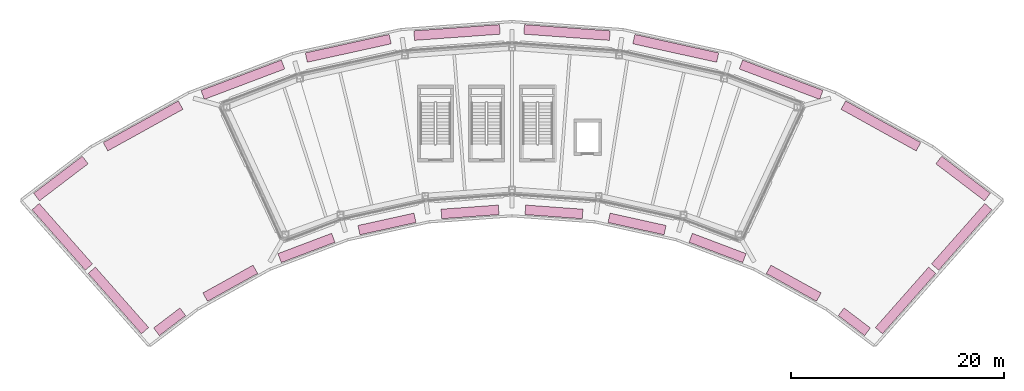
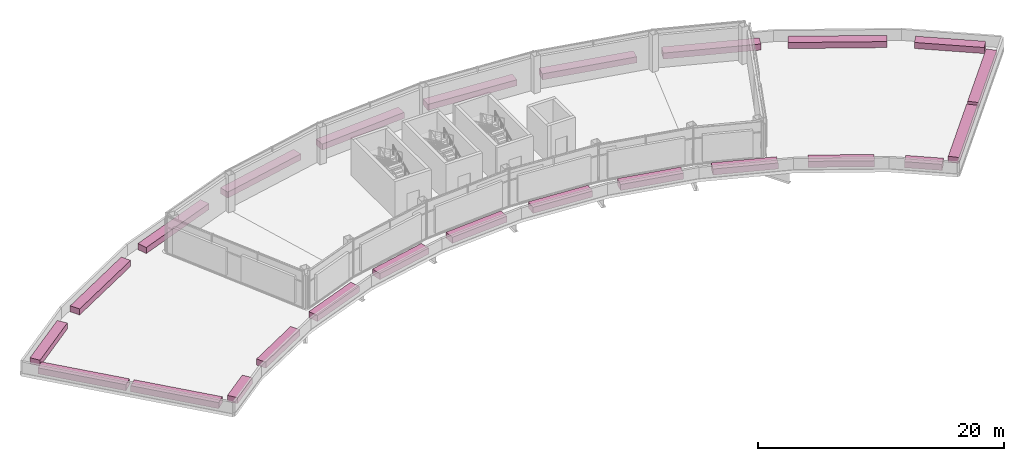
# One storey, part 9 of 9: 24 furnishings.
"""IFC4 building model written with IfcOpenShell, lengths in metres."""

from ifc_helpers import new_model, si_unit, direction, frame, origin, origin_2d, place, context, subcontext, project, spatial, rectangle, extrude, material, type_object, element, save


model = new_model("IFC4")

# Units and contexts
model_context = context("Model", 3, precision=1e-05, world=origin(), true_north=direction((0.0, 1.0)))
body_context = subcontext(model_context, "Body", "Model", "MODEL_VIEW")
ifc_project = project(units=[si_unit("LENGTHUNIT", "METRE"), si_unit("AREAUNIT", "SQUARE_METRE"), si_unit("VOLUMEUNIT", "CUBIC_METRE"), si_unit("PLANEANGLEUNIT", "RADIAN"), si_unit("MASSUNIT", "GRAM", prefix="KILO")], contexts=[model_context])

# Site, building, storey
site_placement = place(None, origin())
site = spatial("IfcSite", under=ifc_project, at=site_placement, CompositionType="ELEMENT")
building_placement = place(site_placement, origin())
building = spatial("IfcBuilding", under=site, at=building_placement, Name="Tuul Gate Civic Tower", CompositionType="ELEMENT")
storey_placement = place(building_placement, frame((0.0, 0.0, 368.10009765625)))
storey = spatial("IfcBuildingStorey", under=building, at=storey_placement, Name="Crown tier 2 lower", CompositionType="ELEMENT", Elevation=368.10009765625)

# Furnishings
ifc_material = material(Name="Planting soil")
furnishing_element_type = type_object("IfcFurnishingElementType", Name="Planter", material=ifc_material)
for number, where, z_axis, x_axis, name in (
    (1, (39.1767578125, -13.9306640625, -0.000244140625), (0.0, 0.0, 1.0), (0.661686136503, 0.749780939181, 0.0), "Planter"),
    (2, (44.45263671875, -7.95263671875, -0.000244140625), (0.0, 0.0, 1.0), (0.661686136503, 0.749780939181, 0.0), "Planter"),
):
    element("IfcFurnishingElement", number, at=place(storey_placement, frame(where, z_axis=z_axis, x_axis=x_axis)), inside=storey, type_object=furnishing_element_type, Name=name, context=body_context, shape_type="SweptSolid", body=[
        extrude(rectangle(XDim=7.5732421875, YDim=0.89990234375, at=origin_2d()), origin(), (0.0, 0.0, 1.0), 0.60009765625),
    ])
furnishing_1_placement = place(storey_placement, frame((44.58349609375, -2.47412109375, -0.000244140625), z_axis=(0.0, 0.0, 1.0), x_axis=(-0.795648634333, 0.605758409503, 0.0)))
element("IfcFurnishingElement", 3, at=furnishing_1_placement, inside=storey, type_object=furnishing_element_type, Name="Planter", context=body_context, shape_type="SweptSolid", body=[
    extrude(rectangle(XDim=5.746826171875, YDim=0.89990234375, at=origin_2d()), origin(), (0.0, 0.0, 1.0), 0.60009765625),
])
furnishing_2_placement = place(storey_placement, frame((36.858642578125, 2.46923828125, -0.000244140625), z_axis=(0.0, 0.0, 1.0), x_axis=(-0.874620728122, 0.484807778341, 0.0)))
element("IfcFurnishingElement", 4, at=furnishing_2_placement, inside=storey, type_object=furnishing_element_type, Name="Planter", context=body_context, shape_type="SweptSolid", body=[
    extrude(rectangle(XDim=8.07421875, YDim=0.89990234375, at=origin_2d()), origin(), (0.0, 0.0, 1.0), 0.60009765625),
])
furnishing_3_placement = place(storey_placement, frame((27.484130859375, 6.812255859375, -0.000244140625), z_axis=(0.0, 0.0, 1.0), x_axis=(-0.935360534406, 0.353695731775, 0.0)))
element("IfcFurnishingElement", 5, at=furnishing_3_placement, inside=storey, type_object=furnishing_element_type, Name="Planter", context=body_context, shape_type="SweptSolid", body=[
    extrude(rectangle(XDim=8.0751953125, YDim=0.89990234375, at=origin_2d()), origin(), (0.0, 0.0, 1.0), 0.60009765625),
])
for number, where, z_axis, x_axis, name in (
    (6, (17.581298828125, 9.7587890625, -0.000244140625), (0.0, 0.0, 1.0), (-0.976571888152, 0.215191420068, 0.0), "Planter"),
    (7, (7.357666015625, 11.24755859375, -0.000244140625), (0.0, 0.0, 1.0), (-0.997384995458, 0.072271507766, 0.0), "Planter"),
    (8, (-2.9736328125, 11.24755859375, -0.000244140625), (0.0, 0.0, 1.0), (-0.997384995458, -0.072271507766, 0.0), "Planter"),
    (9, (-13.197265625, 9.7587890625, -0.000244140625), (0.0, 0.0, 1.0), (-0.976571888152, -0.215191420068, 0.0), "Planter"),
):
    element("IfcFurnishingElement", number, at=place(storey_placement, frame(where, z_axis=z_axis, x_axis=x_axis)), inside=storey, type_object=furnishing_element_type, Name=name, context=body_context, shape_type="SweptSolid", body=[
        extrude(rectangle(XDim=8.074462890625, YDim=0.89990234375, at=origin_2d()), origin(), (0.0, 0.0, 1.0), 0.60009765625),
    ])
furnishing_4_placement = place(storey_placement, frame((-23.10009765625, 6.812255859375, -0.000244140625), z_axis=(0.0, 0.0, 1.0), x_axis=(-0.935360534406, -0.353695731775, 0.0)))
element("IfcFurnishingElement", 10, at=furnishing_4_placement, inside=storey, type_object=furnishing_element_type, Name="Planter", context=body_context, shape_type="SweptSolid", body=[
    extrude(rectangle(XDim=8.0751953125, YDim=0.89990234375, at=origin_2d()), origin(), (0.0, 0.0, 1.0), 0.60009765625),
])
furnishing_5_placement = place(storey_placement, frame((-32.474609375, 2.46923828125, -0.000244140625), z_axis=(0.0, 0.0, 1.0), x_axis=(-0.874620728122, -0.484807778341, 0.0)))
element("IfcFurnishingElement", 11, at=furnishing_5_placement, inside=storey, type_object=furnishing_element_type, Name="Planter", context=body_context, shape_type="SweptSolid", body=[
    extrude(rectangle(XDim=8.07421875, YDim=0.89990234375, at=origin_2d()), origin(), (0.0, 0.0, 1.0), 0.60009765625),
])
furnishing_6_placement = place(storey_placement, frame((-40.199462890625, -2.47412109375, -0.000244140625), z_axis=(0.0, 0.0, 1.0), x_axis=(-0.795648634333, -0.605758409503, 0.0)))
element("IfcFurnishingElement", 12, at=furnishing_6_placement, inside=storey, type_object=furnishing_element_type, Name="Planter", context=body_context, shape_type="SweptSolid", body=[
    extrude(rectangle(XDim=5.746826171875, YDim=0.89990234375, at=origin_2d()), origin(), (0.0, 0.0, 1.0), 0.60009765625),
])
for number, where, z_axis, x_axis, name in (
    (13, (-40.068603515625, -7.95263671875, -0.000244140625), (0.0, 0.0, 1.0), (0.661686136503, -0.749780939181, 0.0), "Planter"),
    (14, (-34.792724609375, -13.9306640625, -0.000244140625), (0.0, 0.0, 1.0), (0.661686136503, -0.749780939181, 0.0), "Planter"),
):
    element("IfcFurnishingElement", number, at=place(storey_placement, frame(where, z_axis=z_axis, x_axis=x_axis)), inside=storey, type_object=furnishing_element_type, Name=name, context=body_context, shape_type="SweptSolid", body=[
        extrude(rectangle(XDim=7.5732421875, YDim=0.89990234375, at=origin_2d()), origin(), (0.0, 0.0, 1.0), 0.60009765625),
    ])
furnishing_7_placement = place(storey_placement, frame((-29.978515625, -15.93359375, -0.000244140625), z_axis=(0.0, 0.0, 1.0), x_axis=(0.79562331843, 0.605791659872, 0.0)))
element("IfcFurnishingElement", 15, at=furnishing_7_placement, inside=storey, type_object=furnishing_element_type, Name="Planter", context=body_context, shape_type="SweptSolid", body=[
    extrude(rectangle(XDim=3.110107421875, YDim=0.89990234375, at=origin_2d()), origin(), (0.0, 0.0, 1.0), 0.60009765625),
])
furnishing_8_placement = place(storey_placement, frame((-24.28125, -12.311767578125, -0.000244140625), z_axis=(0.0, 0.0, 1.0), x_axis=(0.874604735697, 0.48483662846, 0.0)))
element("IfcFurnishingElement", 16, at=furnishing_8_placement, inside=storey, type_object=furnishing_element_type, Name="Planter", context=body_context, shape_type="SweptSolid", body=[
    extrude(rectangle(XDim=5.394287109375, YDim=0.89990234375, at=origin_2d()), origin(), (0.0, 0.0, 1.0), 0.60009765625),
])
furnishing_9_placement = place(storey_placement, frame((-17.12255859375, -8.9951171875, -0.000244140625), z_axis=(0.0, 0.0, 1.0), x_axis=(0.935360833297, 0.353694941345, 0.0)))
element("IfcFurnishingElement", 17, at=furnishing_9_placement, inside=storey, type_object=furnishing_element_type, Name="Planter", context=body_context, shape_type="SweptSolid", body=[
    extrude(rectangle(XDim=5.394775390625, YDim=0.89990234375, at=origin_2d()), origin(), (0.0, 0.0, 1.0), 0.60009765625),
])
for number, where, z_axis, x_axis, name in (
    (18, (-9.56005859375, -6.7451171875, -0.000244140625), (0.0, 0.0, 1.0), (0.976580888408, 0.215150571454, 0.0), "Planter"),
    (19, (-1.7529296875, -5.608154296875, -0.000244140625), (0.0, 0.0, 1.0), (0.997378626821, 0.07235934467, 0.0), "Planter"),
    (20, (6.136962890625, -5.608154296875, -0.000244140625), (0.0, 0.0, 1.0), (0.997378626821, -0.07235934467, 0.0), "Planter"),
    (21, (13.944091796875, -6.7451171875, -0.000244140625), (0.0, 0.0, 1.0), (0.976580888408, -0.215150571454, 0.0), "Planter"),
):
    element("IfcFurnishingElement", number, at=place(storey_placement, frame(where, z_axis=z_axis, x_axis=x_axis)), inside=storey, type_object=furnishing_element_type, Name=name, context=body_context, shape_type="SweptSolid", body=[
        extrude(rectangle(XDim=5.39453125, YDim=0.89990234375, at=origin_2d()), origin(), (0.0, 0.0, 1.0), 0.60009765625),
    ])
furnishing_10_placement = place(storey_placement, frame((21.50634765625, -8.9951171875, -0.000244140625), z_axis=(0.0, 0.0, 1.0), x_axis=(0.935360833297, -0.353694941345, 0.0)))
element("IfcFurnishingElement", 22, at=furnishing_10_placement, inside=storey, type_object=furnishing_element_type, Name="Planter", context=body_context, shape_type="SweptSolid", body=[
    extrude(rectangle(XDim=5.394775390625, YDim=0.89990234375, at=origin_2d()), origin(), (0.0, 0.0, 1.0), 0.60009765625),
])
furnishing_11_placement = place(storey_placement, frame((28.665283203125, -12.311767578125, -0.000244140625), z_axis=(0.0, 0.0, 1.0), x_axis=(0.874604735697, -0.48483662846, 0.0)))
element("IfcFurnishingElement", 23, at=furnishing_11_placement, inside=storey, type_object=furnishing_element_type, Name="Planter", context=body_context, shape_type="SweptSolid", body=[
    extrude(rectangle(XDim=5.394287109375, YDim=0.89990234375, at=origin_2d()), origin(), (0.0, 0.0, 1.0), 0.60009765625),
])
furnishing_12_placement = place(storey_placement, frame((34.362548828125, -15.93359375, -0.000244140625), z_axis=(0.0, 0.0, 1.0), x_axis=(0.79562331843, -0.605791659872, 0.0)))
element("IfcFurnishingElement", 24, at=furnishing_12_placement, inside=storey, type_object=furnishing_element_type, Name="Planter", context=body_context, shape_type="SweptSolid", body=[
    extrude(rectangle(XDim=3.110107421875, YDim=0.89990234375, at=origin_2d()), origin(), (0.0, 0.0, 1.0), 0.60009765625),
])

save(model, "model.ifc")
